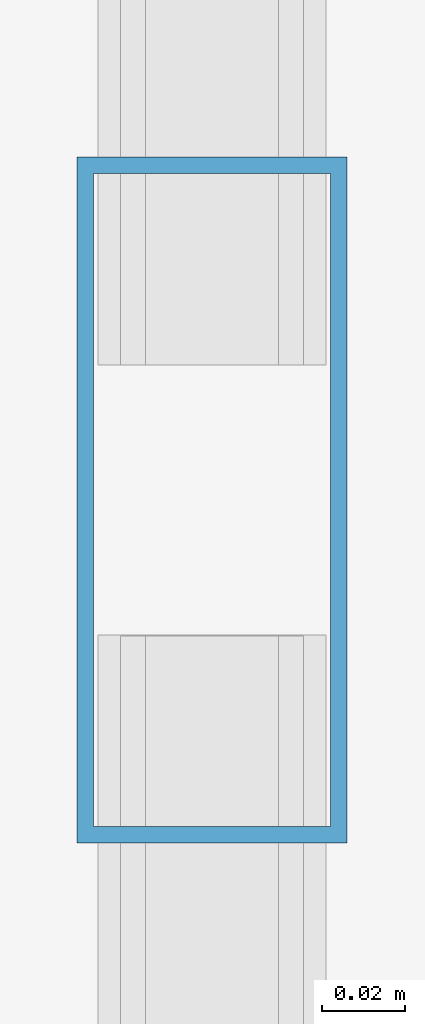
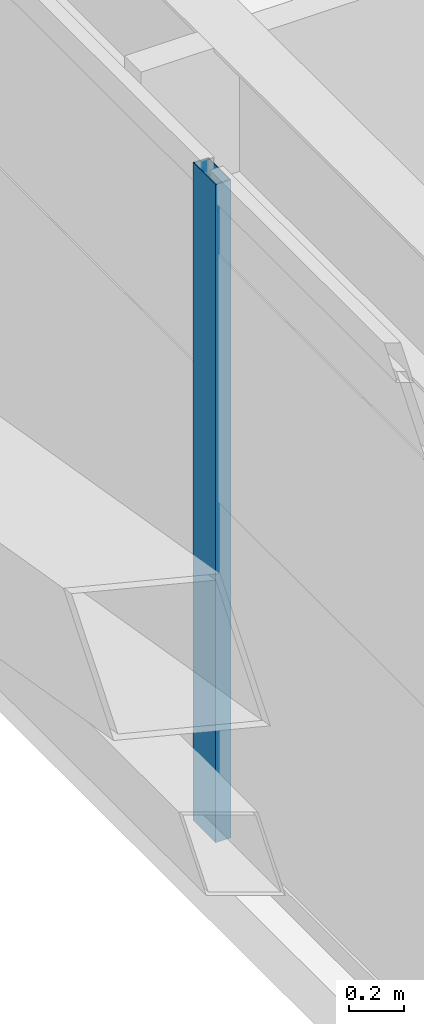
# One storey, part 16 of 58: 1 member, 1 element without a shape of its own.
"""IFC4 building model written with IfcOpenShell, lengths in metres."""

import ifcopenshell
import ifcopenshell.guid

model = None  # the IFC model being written
_history = None  # IfcOwnerHistory: only IFC2X3 demands one
_inside = {}  # id of a spatial element -> (the spatial element, [elements in it])
_under = {}  # id of a project, library or spatial element -> (it, [spatial elements below it])
_declared = {}  # id of a project -> (the project, [libraries it declares])
_typed = {}  # id of a type object -> (the type object, [elements of that type])
_made_of = {}  # id of a material, layer set ... -> (it, [elements and type objects made of it])


def new_model(schema):
    """Start an empty IFC model of exactly this schema.

    Asked for "IFC4X3", IfcOpenShell would pick the latest addendum, in which some entities
    have other attributes; the version numbers below select the first issue.
    IFC2X3 requires an IfcOwnerHistory on every rooted entity: one is made here for all.
    """
    global model, _history
    if schema == "IFC4X3":
        model = ifcopenshell.file(schema_version=(4, 3, 0, 0))
    else:
        model = ifcopenshell.file(schema=schema)
    _inside.clear()
    _under.clear()
    _declared.clear()
    _typed.clear()
    _made_of.clear()
    _history = None
    if model.schema == "IFC2X3":
        org = make("IfcOrganization", Name="unknown")
        user = make(
            "IfcPersonAndOrganization",
            ThePerson=make("IfcPerson", FamilyName="unknown"),
            TheOrganization=org,
        )
        app = make(
            "IfcApplication",
            ApplicationDeveloper=org,
            Version="unknown",
            ApplicationFullName="unknown",
            ApplicationIdentifier="unknown",
        )
        _history = make(
            "IfcOwnerHistory",
            OwningUser=user,
            OwningApplication=app,
            ChangeAction="ADDED",
            CreationDate=0,
        )
    return model


def make(cls, **values):
    """One entity of the class cls with the attributes given. An attribute that is None is left unset."""
    return model.create_entity(
        cls, **{name: value for name, value in values.items() if value is not None}
    )


def rooted(cls, **values):
    """An entity with a GlobalId (a new one), such as an element, a storey or a relation."""
    return make(cls, GlobalId=ifcopenshell.guid.new(), OwnerHistory=_history, **values)


def si_unit(unit_type, name, prefix=None):
    """IfcSIUnit, for example si_unit("LENGTHUNIT", "METRE", prefix="MILLI")."""
    return make("IfcSIUnit", UnitType=unit_type, Prefix=prefix, Name=name)


def assignment(units):
    """IfcUnitAssignment: the units of a project."""
    return None if units is None else make("IfcUnitAssignment", Units=units)


def point(xyz):
    """IfcCartesianPoint."""
    return None if xyz is None else make("IfcCartesianPoint", Coordinates=xyz)


def direction(xyz):
    """IfcDirection."""
    return None if xyz is None else make("IfcDirection", DirectionRatios=xyz)


def frame(location, z_axis=None, x_axis=None):
    """IfcAxis2Placement3D, a coordinate frame: its origin and axes. An axis left out is left unset."""
    return make(
        "IfcAxis2Placement3D",
        Location=point(location),
        Axis=direction(z_axis),
        RefDirection=direction(x_axis),
    )


def frame_2d(location, x_axis=None):
    """IfcAxis2Placement2D, a coordinate frame in the plane: its origin and x axis."""
    return make(
        "IfcAxis2Placement2D", Location=point(location), RefDirection=direction(x_axis)
    )


def origin():
    """The frame at (0, 0, 0) with its axes left unset."""
    return frame((0.0, 0.0, 0.0))


def origin_2d():
    """The frame at (0, 0) in the plane with its x axis left unset."""
    return frame_2d((0.0, 0.0))


def place(relative_to, where):
    """IfcLocalPlacement: puts the frame where relative to a parent placement (None: the world)."""
    return make(
        "IfcLocalPlacement", PlacementRelTo=relative_to, RelativePlacement=where
    )


def context(
    kind, dimensions, precision=None, world=None, true_north=None, identifier=None
):
    """IfcGeometricRepresentationContext, for example the 3D "Model" context."""
    return make(
        "IfcGeometricRepresentationContext",
        ContextIdentifier=identifier,
        ContextType=kind,
        CoordinateSpaceDimension=dimensions,
        Precision=precision,
        WorldCoordinateSystem=world,
        TrueNorth=true_north,
    )


def subcontext(parent, identifier, kind, view, scale=None):
    """IfcGeometricRepresentationSubContext, for example "Body" below "Model"."""
    return make(
        "IfcGeometricRepresentationSubContext",
        ContextIdentifier=identifier,
        ContextType=kind,
        ParentContext=parent,
        TargetScale=scale,
        TargetView=view,
    )


def project(units=None, contexts=None):
    """IfcProject with its units and contexts."""
    return rooted(
        "IfcProject",
        Name="project",
        RepresentationContexts=contexts,
        UnitsInContext=assignment(units),
    )


def spatial(cls, under=None, at=None, **own):
    """A site, building, storey or space (cls), placed at a placement, below another one or the project."""
    s = rooted(cls, ObjectPlacement=at, **own)
    if under is not None:
        _under.setdefault(under.id(), (under, []))[1].append(s)
    return s


def profile(cls, at=None, kind="AREA", **sizes):
    """A parametric profile (cls). Its sizes go by their IFC names, for example OverallWidth=200.0."""
    return make(cls, ProfileType=kind, Position=at, **sizes)


def hollow_rectangle(**sizes):
    """IfcRectangleHollowProfileDef."""
    return profile("IfcRectangleHollowProfileDef", **sizes)


def extrude(swept, where, along, depth):
    """IfcExtrudedAreaSolid: the profile swept, set in the frame where, extruded along a direction by depth."""
    return make(
        "IfcExtrudedAreaSolid",
        SweptArea=swept,
        Position=where,
        ExtrudedDirection=direction(along),
        Depth=depth,
    )


def shape(context_of_items, identifier, shape_type, items):
    """IfcShapeRepresentation: the items that make up one representation, for example the "Body"."""
    return make(
        "IfcShapeRepresentation",
        ContextOfItems=context_of_items,
        RepresentationIdentifier=identifier,
        RepresentationType=shape_type,
        Items=items,
    )


def source(mapping_origin, context_of_items, identifier, shape_type, items):
    """IfcRepresentationMap: a shape defined once, which mapped items show again and again."""
    return make(
        "IfcRepresentationMap",
        MappingOrigin=mapping_origin,
        MappedRepresentation=shape(context_of_items, identifier, shape_type, items),
    )


def transform(
    local_origin,
    x_axis=None,
    y_axis=None,
    z_axis=None,
    scale=None,
    scale2=None,
    scale3=None,
    uniform=True,
):
    """IfcCartesianTransformationOperator3D, or its non-uniform kind. x_axis, y_axis, z_axis: its Axis1, 2, 3."""
    if uniform:
        return make(
            "IfcCartesianTransformationOperator3D",
            Axis1=direction(x_axis),
            Axis2=direction(y_axis),
            LocalOrigin=point(local_origin),
            Scale=scale,
            Axis3=direction(z_axis),
        )
    return make(
        "IfcCartesianTransformationOperator3DnonUniform",
        Axis1=direction(x_axis),
        Axis2=direction(y_axis),
        LocalOrigin=point(local_origin),
        Scale=scale,
        Axis3=direction(z_axis),
        Scale2=scale2,
        Scale3=scale3,
    )


def mapped(mapping_source, mapping_target):
    """IfcMappedItem: shows the shape of a source again, moved by a transform."""
    return make(
        "IfcMappedItem", MappingSource=mapping_source, MappingTarget=mapping_target
    )


def material(Name=None, Category=None):
    """IfcMaterial."""
    return make("IfcMaterial", Name=Name, Category=Category)


def layer(
    of_material, thickness, ventilated=None, Name=None, Category=None, Priority=None
):
    """IfcMaterialLayer: one layer of a wall or slab, of a material (None: an air gap)."""
    return make(
        "IfcMaterialLayer",
        Material=of_material,
        LayerThickness=thickness,
        IsVentilated=ventilated,
        Name=Name,
        Category=Category,
        Priority=Priority,
    )


def layer_set(layers, Name=None):
    """IfcMaterialLayerSet."""
    return make("IfcMaterialLayerSet", MaterialLayers=layers, LayerSetName=Name)


def material_profile(
    of_material, cross_section, Name=None, Category=None, Priority=None
):
    """IfcMaterialProfile: a cross section and its material."""
    return make(
        "IfcMaterialProfile",
        Name=Name,
        Material=of_material,
        Profile=cross_section,
        Priority=Priority,
        Category=Category,
    )


def profile_set(profiles, Name=None, composite=None):
    """IfcMaterialProfileSet."""
    return make(
        "IfcMaterialProfileSet",
        Name=Name,
        MaterialProfiles=profiles,
        CompositeProfile=composite,
    )


def made_of(thing, what):
    """Note that an element or type object is made of a material, layer set ...; save() writes the relation."""
    if what is not None:
        _made_of.setdefault(what.id(), (what, []))[1].append(thing)
    return thing


def type_object(cls, material=None, **own):
    """A type object (cls), such as IfcWallType, which elements share."""
    return made_of(rooted(cls, **own), material)


def element(
    cls,
    number,
    at=None,
    inside=None,
    cuts=None,
    type_object=None,
    material=None,
    context=None,
    identifier="Body",
    shape_type=None,
    held_by="IfcProductDefinitionShape",
    body=None,
    shapes=None,
    **own,
):
    """One element of the class cls, such as IfcWall. Its Tag is "e" and its number.

    at: its placement. inside: the storey or other place that contains it. cuts: it is an
    opening in that element (IfcRelVoidsElement). A single representation is given by context,
    identifier, shape_type and body (its items); several are given by shapes. held_by: the class
    of the entity that holds the representations. save() writes the other relations.
    """
    e = rooted(cls, Tag="e%d" % number, ObjectPlacement=at, **own)
    if body is not None:
        shapes = [shape(context, identifier, shape_type, body)]
    if shapes is not None:
        e.Representation = make(held_by, Representations=shapes)
    if inside is not None:
        _inside.setdefault(inside.id(), (inside, []))[1].append(e)
    if cuts is not None:
        rooted(
            "IfcRelVoidsElement", RelatingBuildingElement=cuts, RelatedOpeningElement=e
        )
    if type_object is not None:
        _typed.setdefault(type_object.id(), (type_object, []))[1].append(e)
    return made_of(e, material)


def aggregate(whole, parts):
    """IfcRelAggregates: a whole, such as a stair, and the parts it consists of."""
    return rooted("IfcRelAggregates", RelatingObject=whole, RelatedObjects=parts)


def save(model, path):
    """Write the relations noted so far, then the file.

    IfcRelAggregates (storeys below a building ...), IfcRelContainedInSpatialStructure (elements
    in a storey), IfcRelDefinesByType, IfcRelAssociatesMaterial and IfcRelDeclares: one each for
    every whole, place, type object, material and project.
    """
    for whole, parts in _under.values():
        aggregate(whole, parts)
    for where, things in _inside.values():
        rooted(
            "IfcRelContainedInSpatialStructure",
            RelatedElements=things,
            RelatingStructure=where,
        )
    for kind, things in _typed.values():
        rooted("IfcRelDefinesByType", RelatedObjects=things, RelatingType=kind)
    for what, things in _made_of.values():
        rooted("IfcRelAssociatesMaterial", RelatedObjects=things, RelatingMaterial=what)
    for by, libraries in _declared.values():
        rooted("IfcRelDeclares", RelatingContext=by, RelatedDefinitions=libraries)
    model.write(path)


model = new_model("IFC4")

# Units and contexts
model_context = context("Model", 3, precision=1e-05, world=origin(), true_north=direction((0.0, 1.0)))
body_context = subcontext(model_context, "Body", "Model", "MODEL_VIEW")
ifc_project = project(units=[si_unit("LENGTHUNIT", "METRE"), si_unit("AREAUNIT", "SQUARE_METRE"), si_unit("VOLUMEUNIT", "CUBIC_METRE"), si_unit("PLANEANGLEUNIT", "RADIAN"), si_unit("MASSUNIT", "GRAM", prefix="KILO")], contexts=[model_context])

# Site, building, storey
site_placement = place(None, origin())
site = spatial("IfcSite", under=ifc_project, at=site_placement, CompositionType="ELEMENT")
building_placement = place(site_placement, origin())
building = spatial("IfcBuilding", under=site, at=building_placement, Name="Taldren Reach Tower", CompositionType="ELEMENT")
storey_placement = place(building_placement, frame((0.0, 0.0, 35.699951171875)))
storey = spatial("IfcBuildingStorey", under=building, at=storey_placement, Name="L10", CompositionType="ELEMENT", Elevation=35.699951171875)

# Curtain wall, member
ifc_material_1 = material(Name="Aluminium and Low-E Glass Unitised System", Category="aluminium")
ifc_layer = layer(ifc_material_1, 0.159912109375)
ifc_layer_set = layer_set([ifc_layer], Name="Aluminium and Low-E Glass Unitised System")
curtain_wall_type = type_object("IfcCurtainWallType", Name="CW-SYS-2", PredefinedType="NOTDEFINED", material=ifc_layer_set)
curtain_wall_placement = place(storey_placement, origin())
curtain_wall = element("IfcCurtainWall", 1, at=curtain_wall_placement, inside=storey, type_object=curtain_wall_type, Name="Unitised curtain wall CW-L10-W", PredefinedType="NOTDEFINED")
ifc_material_2 = material(Name="Anodised Aluminium 6063-T6", Category="aluminium")
ifc_material_profile = material_profile(ifc_material_2, hollow_rectangle(XDim=0.06494140625, YDim=0.1650390625, WallThickness=0.00390625, at=origin_2d()), Name="ALU-165x65x4RHS")
ifc_profile_set = profile_set([ifc_material_profile], Name="Anodised Aluminium 6063-T6")
member_type = type_object("IfcMemberType", Name="CW-MUL-165", PredefinedType="MULLION", material=ifc_profile_set)
shared_shape = source(origin(), body_context, "Body", "SweptSolid", [
    extrude(hollow_rectangle(XDim=0.06494140625, YDim=0.1650390625, WallThickness=0.00390625, at=origin_2d()), origin(), (0.0, 0.0, 1.0), 2.929931640625),
])
member_placement = place(storey_placement, frame((5.139892578125, 25.166748046875, 0.0), z_axis=(0.0, 0.0, 1.0), x_axis=(1.0, 0.0, 0.0)))
member = element("IfcMember", 2, at=member_placement, type_object=member_type, Name="CW-2 mullion 4", PredefinedType="MULLION", context=body_context, shape_type="MappedRepresentation", body=[
    mapped(shared_shape, transform((0.0, 0.0, 0.0), scale=1.0)),
])
aggregate(curtain_wall, [member])

save(model, "model.ifc")
